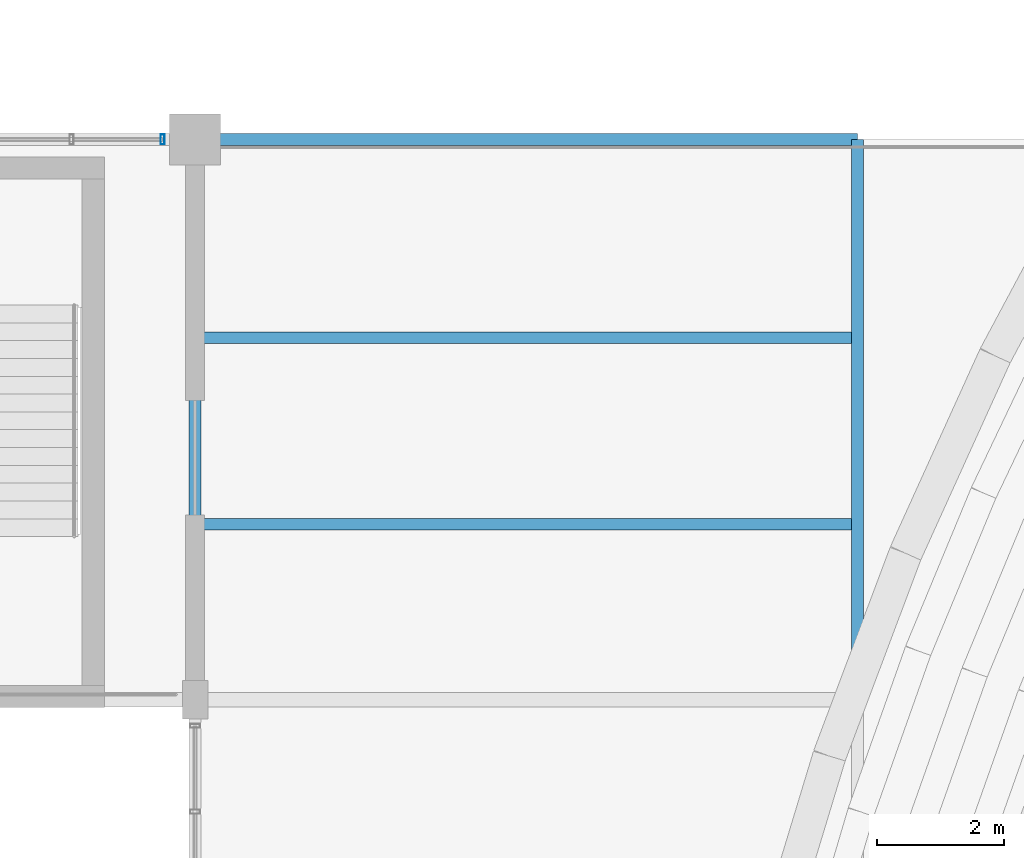
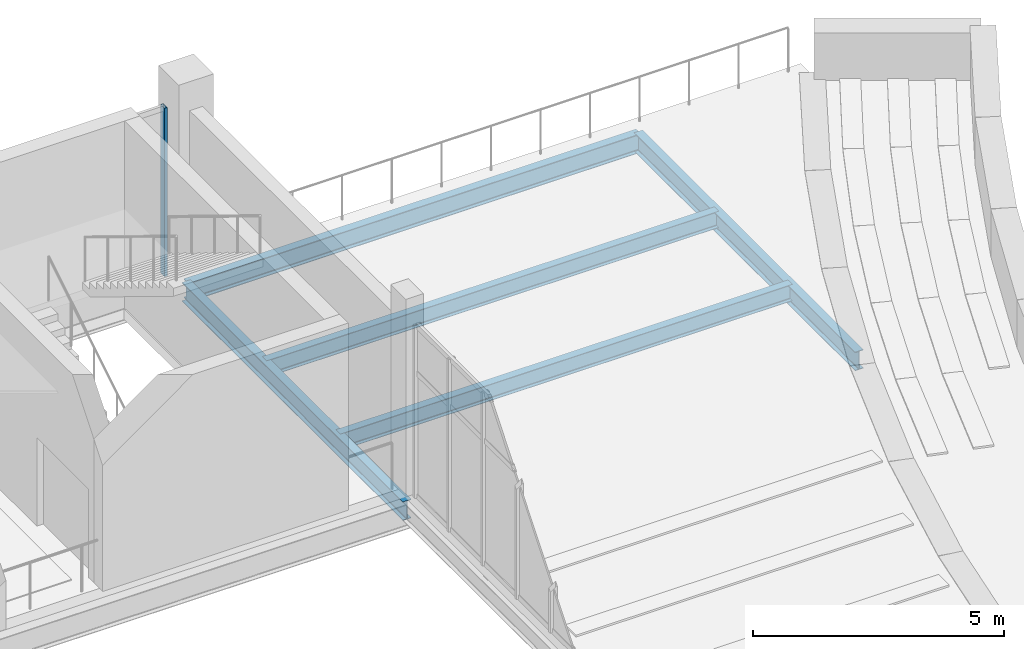
# One storey, part 113 of 157: 5 beams, 1 member, 1 element without a shape of its own.
"""IFC4 building model written with IfcOpenShell, lengths in metres."""

from ifc_helpers import new_model, si_unit, direction, frame, origin, origin_2d, place, context, subcontext, project, spatial, hollow_rectangle, i_section, extrude, material, layer, layer_set, material_profile, profile_set, type_object, element, aggregate, save


model = new_model("IFC4")

# Units and contexts
model_context = context("Model", 3, precision=1e-05, world=origin(), true_north=direction((0.0, 1.0)))
body_context = subcontext(model_context, "Body", "Model", "MODEL_VIEW")
ifc_project = project(units=[si_unit("LENGTHUNIT", "METRE"), si_unit("AREAUNIT", "SQUARE_METRE"), si_unit("VOLUMEUNIT", "CUBIC_METRE"), si_unit("PLANEANGLEUNIT", "RADIAN"), si_unit("MASSUNIT", "GRAM", prefix="KILO")], contexts=[model_context])

# Site, building, storey
site_placement = place(None, origin())
site = spatial("IfcSite", under=ifc_project, at=site_placement, CompositionType="ELEMENT")
building_placement = place(site_placement, origin())
building = spatial("IfcBuilding", under=site, at=building_placement, Name="Chalmorin Arch Market", CompositionType="ELEMENT")
storey_placement = place(building_placement, frame((0.0, 0.0, 4.800048828125)))
storey = spatial("IfcBuildingStorey", under=building, at=storey_placement, Name="L01", CompositionType="ELEMENT", Elevation=4.800048828125)

# Curtain wall, member
ifc_material_1 = material(Name="Aluminium 6063-T6", Category="aluminium")
ifc_layer = layer(ifc_material_1, 0.159912109375)
ifc_layer_set = layer_set([ifc_layer], Name="Aluminium 6063-T6")
curtain_wall_type = type_object("IfcCurtainWallType", Name="MarketClerestoryCurtainWall-CW1-8580x4100", PredefinedType="NOTDEFINED", material=ifc_layer_set)
curtain_wall_placement = place(storey_placement, origin())
curtain_wall = element("IfcCurtainWall", 1, at=curtain_wall_placement, inside=storey, type_object=curtain_wall_type, Name="CW-01-024", PredefinedType="NOTDEFINED")
ifc_material_profile_1 = material_profile(ifc_material_1, hollow_rectangle(XDim=0.06494140625, YDim=0.159912109375, WallThickness=0.00390625, at=origin_2d()), Name="ALU65X160X4")
ifc_profile_set_1 = profile_set([ifc_material_profile_1], Name="Aluminium 6063-T6")
member_type = type_object("IfcMemberType", Name="CurtainWallMullion-65x160", PredefinedType="MULLION", material=ifc_profile_set_1)
member_placement = place(storey_placement, frame((124.2900390625, 58.800048828125, 0.0), z_axis=(0.0, 0.0, 1.0), x_axis=(1.0, 0.0, 0.0)))
member = element("IfcMember", 2, at=member_placement, type_object=member_type, Name="ML-024-07", PredefinedType="MULLION", context=body_context, shape_type="SweptSolid", body=[
    extrude(hollow_rectangle(XDim=0.06494140625, YDim=0.159912109375, WallThickness=0.00390625, at=origin_2d()), origin(), (0.0, 0.0, 1.0), 4.095947265625),
])
aggregate(curtain_wall, [member])

# Beams
ifc_material_2 = material(Name="Steel A992 Grade 50", Category="steel")
ifc_material_profile_2 = material_profile(ifc_material_2, i_section(OverallWidth=0.19091796875, OverallDepth=0.45703125, WebThickness=0.009033203125, FlangeThickness=0.014404296875, FilletRadius=0.02001953125, at=origin_2d()), Name="W18X50")
ifc_profile_set_2 = profile_set([ifc_material_profile_2], Name="Steel A992 Grade 50")
beam_type_1 = type_object("IfcBeamType", Name="PerimeterSpandrelBeam-W18X50", PredefinedType="SPANDREL", material=ifc_profile_set_2)
beam_1_placement = place(storey_placement, frame((124.800048828125, 50.0, -0.570556640625), z_axis=(0.0, 1.0, 0.0), x_axis=(-1.0, 0.0, 0.0)))
element("IfcBeam", 3, at=beam_1_placement, inside=storey, type_object=beam_type_1, Name="SP-W18-0663", PredefinedType="SPANDREL", context=body_context, shape_type="SweptSolid", body=[
    extrude(i_section(OverallWidth=0.19091796875, OverallDepth=0.45703125, WebThickness=0.009033203125, FlangeThickness=0.014404296875, FilletRadius=0.02001953125, at=origin_2d()), origin(), (0.0, 0.0, 1.0), 8.800048828125),
])
beam_2_placement = place(storey_placement, frame((124.800048828125, 58.800048828125, -0.570556640625), z_axis=(1.0, 0.0, 0.0), x_axis=(0.0, 1.0, 0.0)))
element("IfcBeam", 4, at=beam_2_placement, inside=storey, type_object=beam_type_1, Name="SP-W18-0695", PredefinedType="SPANDREL", context=body_context, shape_type="SweptSolid", body=[
    extrude(i_section(OverallWidth=0.19091796875, OverallDepth=0.45703125, WebThickness=0.009033203125, FlangeThickness=0.014404296875, FilletRadius=0.02001953125, at=origin_2d()), origin(), (0.0, 0.0, 1.0), 10.39990234375),
])
beam_3_placement = place(storey_placement, frame((135.199951171875, 50.0, -0.570556640625), z_axis=(0.0, 1.0, 0.0), x_axis=(-1.0, 0.0, 0.0)))
element("IfcBeam", 5, at=beam_3_placement, inside=storey, type_object=beam_type_1, Name="SP-W18-0696", PredefinedType="SPANDREL", context=body_context, shape_type="SweptSolid", body=[
    extrude(i_section(OverallWidth=0.19091796875, OverallDepth=0.45703125, WebThickness=0.009033203125, FlangeThickness=0.014404296875, FilletRadius=0.02001953125, at=origin_2d()), origin(), (0.0, 0.0, 1.0), 8.800048828125),
])
ifc_material_profile_3 = material_profile(ifc_material_2, i_section(OverallWidth=0.177978515625, OverallDepth=0.403076171875, WebThickness=0.007568359375, FlangeThickness=0.010986328125, FilletRadius=0.01806640625, at=origin_2d()), Name="W16X36")
ifc_profile_set_3 = profile_set([ifc_material_profile_3], Name="Steel A992 Grade 50")
beam_type_2 = type_object("IfcBeamType", Name="SecondaryFloorJoist-W16X36", PredefinedType="JOIST", material=ifc_profile_set_3)
for number, where, z_axis, x_axis, name in (
    (6, (124.800048828125, 52.75341796875, -0.54345703125), (1.0, 0.0, 0.0), (0.0, 1.0, 0.0), "BJ-W16B-0707"),
    (7, (124.800048828125, 55.686767578125, -0.54345703125), (1.0, 0.0, 0.0), (0.0, 1.0, 0.0), "BJ-W16B-0708"),
):
    element("IfcBeam", number, at=place(storey_placement, frame(where, z_axis=z_axis, x_axis=x_axis)), inside=storey, type_object=beam_type_2, Name=name, PredefinedType="JOIST", context=body_context, shape_type="SweptSolid", body=[
        extrude(i_section(OverallWidth=0.177978515625, OverallDepth=0.403076171875, WebThickness=0.007568359375, FlangeThickness=0.010986328125, FilletRadius=0.01806640625, at=origin_2d()), origin(), (0.0, 0.0, 1.0), 10.39990234375),
    ])

save(model, "model.ifc")
